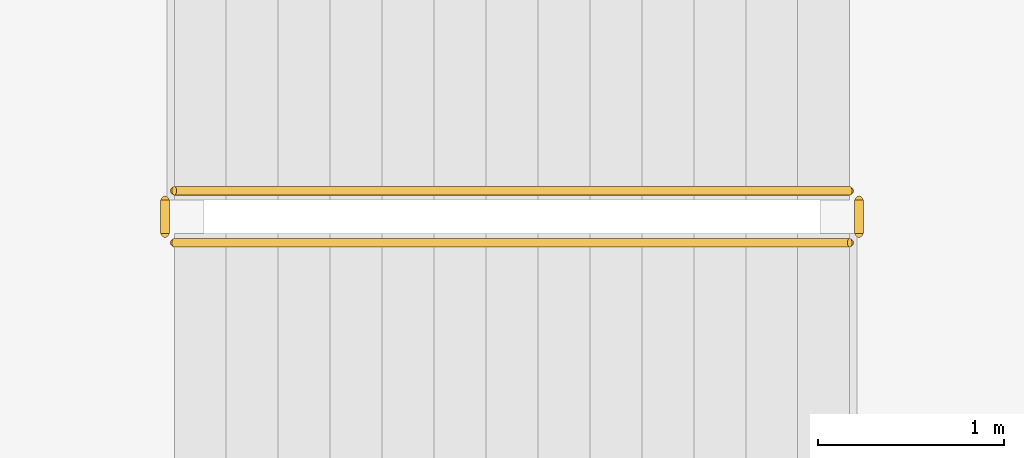
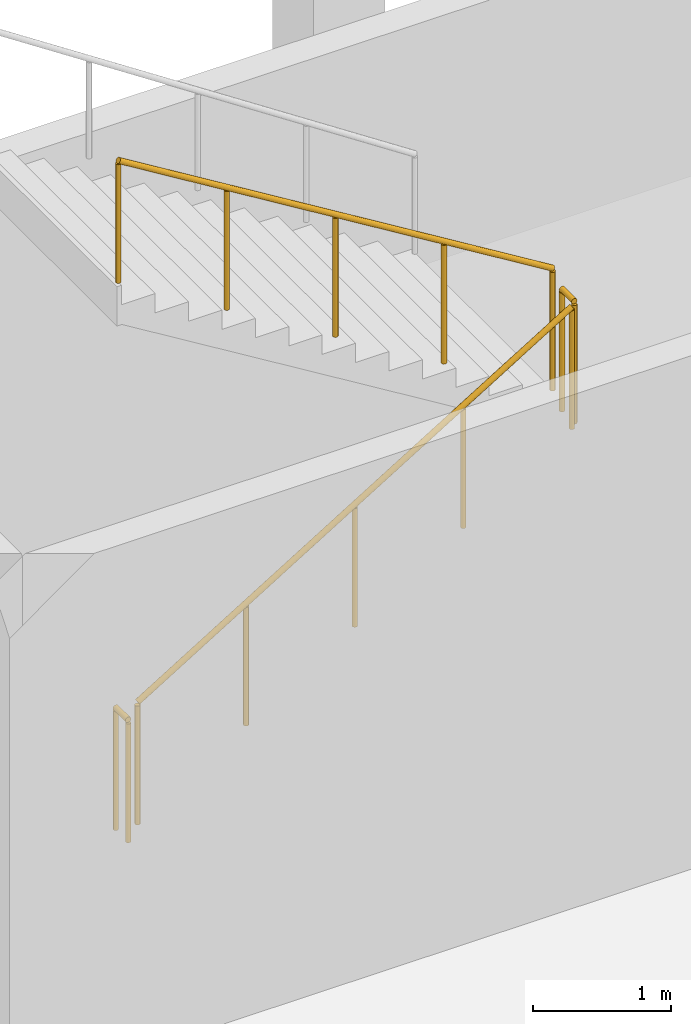
# One storey, part 17 of 23: 4 railings.
"""IFC4 building model written with IfcOpenShell, lengths in metres."""

from ifc_helpers import new_model, si_unit, direction, frame, origin, origin_2d, place, context, subcontext, project, spatial, circle, extrude, material, type_object, element, save


model = new_model("IFC4")

# Units and contexts
model_context = context("Model", 3, precision=1e-05, world=origin(), true_north=direction((0.0, 1.0)))
body_context = subcontext(model_context, "Body", "Model", "MODEL_VIEW")
ifc_project = project(units=[si_unit("LENGTHUNIT", "METRE"), si_unit("AREAUNIT", "SQUARE_METRE"), si_unit("VOLUMEUNIT", "CUBIC_METRE"), si_unit("PLANEANGLEUNIT", "RADIAN"), si_unit("MASSUNIT", "GRAM", prefix="KILO")], contexts=[model_context])

# Site, building, storey
site_placement = place(None, origin())
site = spatial("IfcSite", under=ifc_project, at=site_placement, CompositionType="ELEMENT")
building_placement = place(site_placement, origin())
building = spatial("IfcBuilding", under=site, at=building_placement, Name="Cendralis Lancet Convention Centre", CompositionType="ELEMENT")
storey_placement = place(building_placement, frame((0.0, 0.0, 19.800048828125)))
storey = spatial("IfcBuildingStorey", under=building, at=storey_placement, Name="L04", CompositionType="ELEMENT", Elevation=19.800048828125)

# Railings
ifc_material = material(Name="Steel S355", Category="steel")
railing_type = type_object("IfcRailingType", Name="ARC-RL-CGD", PredefinedType="GUARDRAIL", material=ifc_material)
railing_1_placement = place(storey_placement, frame((150.14990234375, 32.800048828125, 0.17138671875)))
element("IfcRailing", 1, at=railing_1_placement, inside=storey, type_object=railing_type, Name="L04 ST-13 stair guard 1", PredefinedType="GUARDRAIL", context=body_context, shape_type="SweptSolid", body=[
    extrude(circle(Radius=0.02392578125, at=origin_2d()), frame((0.0, 0.0, 1.076171875), z_axis=(0.852865859571, 0.0, 0.52213008492), x_axis=(0.0, 1.0, 0.0)), (0.0, 0.0, 1.0), 4.26806640625),
    extrude(circle(Radius=0.02099609375, at=origin_2d()), origin(), (0.0, 0.0, 1.0), 1.052001953125),
    extrude(circle(Radius=0.02099609375, at=origin_2d()), frame((0.91015625, 0.0, 0.55712890625)), (0.0, 0.0, 1.0), 1.052001953125),
    extrude(circle(Radius=0.02099609375, at=origin_2d()), frame((1.820068359375, 0.0, 1.1142578125)), (0.0, 0.0, 1.0), 1.052001953125),
    extrude(circle(Radius=0.02099609375, at=origin_2d()), frame((2.72998046875, 0.0, 1.67138671875)), (0.0, 0.0, 1.0), 1.052001953125),
    extrude(circle(Radius=0.02099609375, at=origin_2d()), frame((3.64013671875, 0.0, 2.228515625)), (0.0, 0.0, 1.0), 1.052001953125),
])
railing_2_placement = place(storey_placement, frame((153.840087890625, 32.85009765625, 2.39990234375)))
element("IfcRailing", 2, at=railing_2_placement, inside=storey, type_object=railing_type, Name="L04 ST-13 stair guard 2", PredefinedType="GUARDRAIL", context=body_context, shape_type="SweptSolid", body=[
    extrude(circle(Radius=0.02392578125, at=origin_2d()), frame((0.0, 0.0, 1.076171875), z_axis=(0.0, 1.0, 0.0), x_axis=(-1.0, 0.0, 0.0)), (0.0, 0.0, 1.0), 0.179931640625),
    extrude(circle(Radius=0.02099609375, at=origin_2d()), origin(), (0.0, 0.0, 1.0), 1.052001953125),
    extrude(circle(Radius=0.02099609375, at=origin_2d()), frame((0.0, 0.179931640625, 0.0)), (0.0, 0.0, 1.0), 1.052001953125),
])
railing_3_placement = place(storey_placement, frame((153.7900390625, 33.080078125, 2.5712890625)))
element("IfcRailing", 3, at=railing_3_placement, inside=storey, type_object=railing_type, Name="L04 ST-13 stair guard 3", PredefinedType="GUARDRAIL", context=body_context, shape_type="SweptSolid", body=[
    extrude(circle(Radius=0.02392578125, at=origin_2d()), frame((0.0, 0.0, 1.076171875), z_axis=(-0.852840387347, 0.0, 0.522171689878), x_axis=(0.0, -1.0, 0.0)), (0.0, 0.0, 1.0), 4.268310546875),
    extrude(circle(Radius=0.02099609375, at=origin_2d()), origin(), (0.0, 0.0, 1.0), 1.052001953125),
    extrude(circle(Radius=0.02099609375, at=origin_2d()), frame((-0.91015625, 0.0, 0.55712890625)), (0.0, 0.0, 1.0), 1.052001953125),
    extrude(circle(Radius=0.02099609375, at=origin_2d()), frame((-1.820068359375, 0.0, 1.1142578125)), (0.0, 0.0, 1.0), 1.052001953125),
    extrude(circle(Radius=0.02099609375, at=origin_2d()), frame((-2.72998046875, 0.0, 1.671630859375)), (0.0, 0.0, 1.0), 1.052001953125),
    extrude(circle(Radius=0.02099609375, at=origin_2d()), frame((-3.64013671875, 0.0, 2.228759765625)), (0.0, 0.0, 1.0), 1.052001953125),
])
railing_4_placement = place(storey_placement, frame((150.10009765625, 32.85009765625, 0.0)))
element("IfcRailing", 4, at=railing_4_placement, inside=storey, type_object=railing_type, Name="L04 ST-13 stair guard 4", PredefinedType="GUARDRAIL", context=body_context, shape_type="SweptSolid", body=[
    extrude(circle(Radius=0.02392578125, at=origin_2d()), frame((0.0, 0.0, 1.076171875), z_axis=(0.0, 1.0, 0.0), x_axis=(-1.0, 0.0, 0.0)), (0.0, 0.0, 1.0), 0.179931640625),
    extrude(circle(Radius=0.02099609375, at=origin_2d()), origin(), (0.0, 0.0, 1.0), 1.052001953125),
    extrude(circle(Radius=0.02099609375, at=origin_2d()), frame((0.0, 0.179931640625, 0.0)), (0.0, 0.0, 1.0), 1.052001953125),
])

save(model, "model.ifc")
